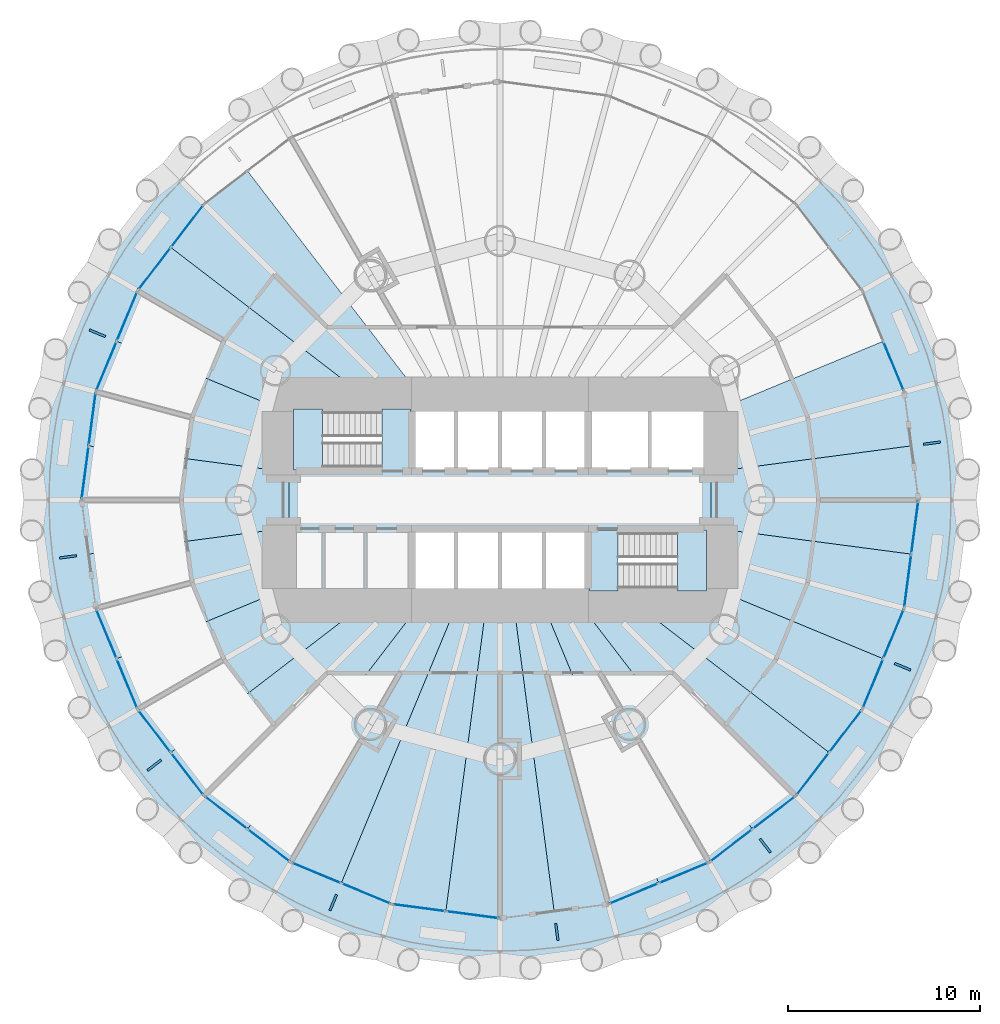
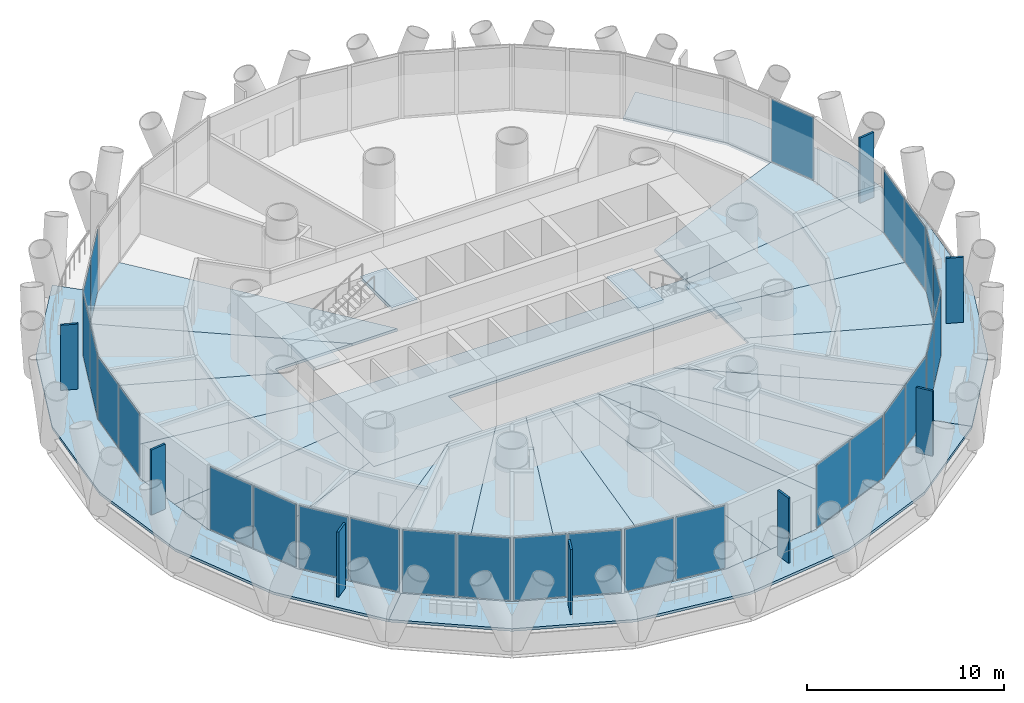
# One storey, part 8 of 16: 35 plates, 25 slabs, 16 elements without a shape of their own.
"""IFC4 building model written with IfcOpenShell, lengths in metres."""

from ifc_helpers import new_model, si_unit, direction, frame, origin, origin_2d, place, context, subcontext, project, spatial, polyline, rectangle, outline, extrude, material, layer, layer_set, type_object, element, aggregate, save


model = new_model("IFC4")

# Units and contexts
model_context = context("Model", 3, precision=1e-05, world=origin(), true_north=direction((0.0, 1.0)))
body_context = subcontext(model_context, "Body", "Model", "MODEL_VIEW")
ifc_project = project(units=[si_unit("LENGTHUNIT", "METRE"), si_unit("AREAUNIT", "SQUARE_METRE"), si_unit("VOLUMEUNIT", "CUBIC_METRE"), si_unit("PLANEANGLEUNIT", "RADIAN"), si_unit("MASSUNIT", "GRAM", prefix="KILO")], contexts=[model_context])

# Site, building, storey
site_placement = place(None, origin())
site = spatial("IfcSite", under=ifc_project, at=site_placement, CompositionType="ELEMENT")
building_placement = place(site_placement, origin())
building = spatial("IfcBuilding", under=site, at=building_placement, Name="Qaws Media Tower", CompositionType="ELEMENT")
storey_placement = place(building_placement, frame((0.0, 0.0, 42.800048828125)))
storey = spatial("IfcBuildingStorey", under=building, at=storey_placement, Name="L08", CompositionType="ELEMENT", Elevation=42.800048828125)

# Slabs
ifc_material_1 = material(Name="Concrete C35/45", Category="concrete")
ifc_layer_1 = layer(ifc_material_1, 0.159912109375)
ifc_layer_set_1 = layer_set([ifc_layer_1], Name="Composite balcony slab 160")
slab_type_1 = type_object("IfcSlabType", Name="Composite balcony slab 160", PredefinedType="FLOOR", material=ifc_layer_set_1)
slab_1_placement = place(storey_placement, frame((0.0, 0.0, -0.16015625)))
element("IfcSlab", 1, at=slab_1_placement, inside=storey, type_object=slab_type_1, Name="S2 balcony slab L08 R10 to R16, movement joints on R10 and R16", PredefinedType="FLOOR", context=body_context, shape_type="SweptSolid", body=[
    extrude(outline(polyline([(39.042236328125, 37.89990234375), (36.62451171875, 43.736572265625), (35.800048828125, 50.0), (36.62451171875, 56.263427734375), (39.042236328125, 62.10009765625), (42.887939453125, 67.112060546875), (44.585205078125, 65.414794921875), (41.12060546875, 60.89990234375), (38.94287109375, 55.642333984375), (38.199951171875, 50.0), (38.94287109375, 44.357666015625), (41.12060546875, 39.10009765625), (44.585205078125, 34.585205078125), (42.887939453125, 32.887939453125), (39.042236328125, 37.89990234375)])), origin(), (0.0, 0.0, 1.0), 0.16015625),
])
slab_2_placement = place(storey_placement, frame((0.0, 0.0, -0.16015625)))
element("IfcSlab", 2, at=slab_2_placement, inside=storey, type_object=slab_type_1, Name="S2 balcony slab L08 R16 to R22, movement joints on R16 and R22", PredefinedType="FLOOR", context=body_context, shape_type="SweptSolid", body=[
    extrude(outline(polyline([(72.10009765625, 29.042236328125), (66.263427734375, 26.62451171875), (60.0, 25.800048828125), (53.736572265625, 26.62451171875), (47.89990234375, 29.042236328125), (42.887939453125, 32.887939453125), (44.585205078125, 34.585205078125), (49.10009765625, 31.12060546875), (54.357666015625, 28.94287109375), (60.0, 28.199951171875), (65.642333984375, 28.94287109375), (70.89990234375, 31.12060546875), (75.414794921875, 34.585205078125), (77.112060546875, 32.887939453125), (72.10009765625, 29.042236328125)])), origin(), (0.0, 0.0, 1.0), 0.16015625),
])
slab_3_placement = place(storey_placement, frame((0.0, 0.0, -0.16015625)))
element("IfcSlab", 3, at=slab_3_placement, inside=storey, type_object=slab_type_1, Name="S2 balcony slab L08 R22 to R04, movement joints on R22 and R04", PredefinedType="FLOOR", context=body_context, shape_type="SweptSolid", body=[
    extrude(outline(polyline([(80.957763671875, 37.89990234375), (77.112060546875, 32.887939453125), (75.414794921875, 34.585205078125), (78.87939453125, 39.10009765625), (81.05712890625, 44.357666015625), (81.800048828125, 50.0), (81.05712890625, 55.642333984375), (78.87939453125, 60.89990234375), (75.414794921875, 65.414794921875), (77.112060546875, 67.112060546875), (80.957763671875, 62.10009765625), (83.37548828125, 56.263427734375), (84.199951171875, 50.0), (83.37548828125, 43.736572265625), (80.957763671875, 37.89990234375)])), origin(), (0.0, 0.0, 1.0), 0.16015625),
])
ifc_material_2 = material(Name="Concrete C35/45", Category="concrete")
ifc_layer_2 = layer(ifc_material_2, 0.159912109375)
ifc_layer_set_2 = layer_set([ifc_layer_2], Name="Composite floor slab 160")
slab_type_2 = type_object("IfcSlabType", Name="Composite floor slab 160", PredefinedType="FLOOR", material=ifc_layer_set_2)
slab_4_placement = place(storey_placement, frame((0.0, 0.0, -0.16015625)))
element("IfcSlab", 4, at=slab_4_placement, inside=storey, type_object=slab_type_2, Name="S1 core floor slab L08", PredefinedType="FLOOR", context=body_context, shape_type="SweptSolid", body=[
    extrude(outline(polyline([(71.0, 51.5), (71.0, 48.5), (55.39990234375, 48.5), (55.39990234375, 45.0), (49.0, 45.0), (49.0, 51.5), (71.0, 51.5)])), origin(), (0.0, 0.0, 1.0), 0.16015625),
])
slab_5_placement = place(storey_placement, frame((0.0, 0.0, -0.16015625)))
element("IfcSlab", 5, at=slab_5_placement, inside=storey, type_object=slab_type_2, Name="S1 floor panel L08 on R01", PredefinedType="FLOOR", context=body_context, shape_type="SweptSolid", body=[
    extrude(outline(polyline([(81.800048828125, 50.0), (81.4287109375, 47.178955078125), (71.0, 48.5517578125), (71.0, 51.4482421875), (81.4287109375, 52.821044921875), (81.800048828125, 50.0)])), origin(), (0.0, 0.0, 1.0), 0.16015625),
])
slab_6_placement = place(storey_placement, frame((0.0, 0.0, -0.16015625)))
element("IfcSlab", 6, at=slab_6_placement, inside=storey, type_object=slab_type_2, Name="S1 floor panel L08 on R02", PredefinedType="FLOOR", context=body_context, shape_type="SweptSolid", body=[
    extrude(outline(polyline([(81.05712890625, 55.642333984375), (81.4287109375, 52.821044921875), (71.0, 51.4482421875), (71.0, 54.556396484375), (79.96826171875, 58.27099609375), (81.05712890625, 55.642333984375)])), origin(), (0.0, 0.0, 1.0), 0.16015625),
])
slab_7_placement = place(storey_placement, frame((0.0, 0.0, -0.16015625)))
element("IfcSlab", 7, at=slab_7_placement, inside=storey, type_object=slab_type_2, Name="S1 floor panel L08 on R10", PredefinedType="FLOOR", context=body_context, shape_type="SweptSolid", body=[
    extrude(outline(polyline([(44.585205078125, 65.414794921875), (46.842529296875, 67.147216796875), (56.163330078125, 55.0), (53.48388671875, 55.0), (42.852783203125, 63.157470703125), (44.585205078125, 65.414794921875)])), origin(), (0.0, 0.0, 1.0), 0.16015625),
])
slab_8_placement = place(storey_placement, frame((0.0, 0.0, -0.16015625)))
element("IfcSlab", 8, at=slab_8_placement, inside=storey, type_object=slab_type_2, Name="S1 floor panel L08 on R11", PredefinedType="FLOOR", context=body_context, shape_type="SweptSolid", body=[
    extrude(outline(polyline([(41.12060546875, 60.89990234375), (42.852783203125, 63.157470703125), (53.48388671875, 55.0), (49.0, 55.0), (49.0, 54.556396484375), (40.03173828125, 58.27099609375), (41.12060546875, 60.89990234375)])), origin(), (0.0, 0.0, 1.0), 0.16015625),
])
slab_9_placement = place(storey_placement, frame((0.0, 0.0, -0.16015625)))
element("IfcSlab", 9, at=slab_9_placement, inside=storey, type_object=slab_type_2, Name="S1 floor panel L08 on R12", PredefinedType="FLOOR", context=body_context, shape_type="SweptSolid", body=[
    extrude(outline(polyline([(38.94287109375, 55.642333984375), (40.03173828125, 58.27099609375), (49.0, 54.556396484375), (49.0, 51.4482421875), (38.5712890625, 52.821044921875), (38.94287109375, 55.642333984375)])), origin(), (0.0, 0.0, 1.0), 0.16015625),
])
slab_10_placement = place(storey_placement, frame((0.0, 0.0, -0.16015625)))
element("IfcSlab", 10, at=slab_10_placement, inside=storey, type_object=slab_type_2, Name="S1 floor panel L08 on R13", PredefinedType="FLOOR", context=body_context, shape_type="SweptSolid", body=[
    extrude(outline(polyline([(38.199951171875, 50.0), (38.5712890625, 52.821044921875), (49.0, 51.4482421875), (49.0, 48.5517578125), (38.5712890625, 47.178955078125), (38.199951171875, 50.0)])), origin(), (0.0, 0.0, 1.0), 0.16015625),
])
slab_11_placement = place(storey_placement, frame((0.0, 0.0, -0.16015625)))
element("IfcSlab", 11, at=slab_11_placement, inside=storey, type_object=slab_type_2, Name="S1 floor panel L08 on R14", PredefinedType="FLOOR", context=body_context, shape_type="SweptSolid", body=[
    extrude(outline(polyline([(38.94287109375, 44.357666015625), (38.5712890625, 47.178955078125), (49.0, 48.5517578125), (49.0, 45.443603515625), (40.03173828125, 41.72900390625), (38.94287109375, 44.357666015625)])), origin(), (0.0, 0.0, 1.0), 0.16015625),
])
slab_12_placement = place(storey_placement, frame((0.0, 0.0, -0.16015625)))
element("IfcSlab", 12, at=slab_12_placement, inside=storey, type_object=slab_type_2, Name="S1 floor panel L08 on R15", PredefinedType="FLOOR", context=body_context, shape_type="SweptSolid", body=[
    extrude(outline(polyline([(41.12060546875, 39.10009765625), (40.03173828125, 41.72900390625), (49.0, 45.443603515625), (49.0, 45.0), (53.48388671875, 45.0), (42.852783203125, 36.842529296875), (41.12060546875, 39.10009765625)])), origin(), (0.0, 0.0, 1.0), 0.16015625),
])
slab_13_placement = place(storey_placement, frame((0.0, 0.0, -0.16015625)))
element("IfcSlab", 13, at=slab_13_placement, inside=storey, type_object=slab_type_2, Name="S1 floor panel L08 on R16", PredefinedType="FLOOR", context=body_context, shape_type="SweptSolid", body=[
    extrude(outline(polyline([(44.585205078125, 34.585205078125), (42.852783203125, 36.842529296875), (53.48388671875, 45.0), (56.163330078125, 45.0), (46.842529296875, 32.852783203125), (44.585205078125, 34.585205078125)])), origin(), (0.0, 0.0, 1.0), 0.16015625),
])
slab_14_placement = place(storey_placement, frame((0.0, 0.0, -0.16015625)))
element("IfcSlab", 14, at=slab_14_placement, inside=storey, type_object=slab_type_2, Name="S1 floor panel L08 on R17", PredefinedType="FLOOR", context=body_context, shape_type="SweptSolid", body=[
    extrude(outline(polyline([(49.10009765625, 31.12060546875), (46.842529296875, 32.852783203125), (56.163330078125, 45.0), (57.928955078125, 45.0), (51.72900390625, 30.03173828125), (49.10009765625, 31.12060546875)])), origin(), (0.0, 0.0, 1.0), 0.16015625),
])
slab_15_placement = place(storey_placement, frame((0.0, 0.0, -0.16015625)))
element("IfcSlab", 15, at=slab_15_placement, inside=storey, type_object=slab_type_2, Name="S1 floor panel L08 on R18", PredefinedType="FLOOR", context=body_context, shape_type="SweptSolid", body=[
    extrude(outline(polyline([(54.357666015625, 28.94287109375), (51.72900390625, 30.03173828125), (57.928955078125, 45.0), (59.341796875, 45.0), (57.178955078125, 28.5712890625), (54.357666015625, 28.94287109375)])), origin(), (0.0, 0.0, 1.0), 0.16015625),
])
slab_16_placement = place(storey_placement, frame((0.0, 0.0, -0.16015625)))
element("IfcSlab", 16, at=slab_16_placement, inside=storey, type_object=slab_type_2, Name="S1 floor panel L08 on R19", PredefinedType="FLOOR", context=body_context, shape_type="SweptSolid", body=[
    extrude(outline(polyline([(60.0, 28.199951171875), (57.178955078125, 28.5712890625), (59.341796875, 45.0), (60.658203125, 45.0), (62.821044921875, 28.5712890625), (60.0, 28.199951171875)])), origin(), (0.0, 0.0, 1.0), 0.16015625),
])
slab_17_placement = place(storey_placement, frame((0.0, 0.0, -0.16015625)))
element("IfcSlab", 17, at=slab_17_placement, inside=storey, type_object=slab_type_2, Name="S1 floor panel L08 on R20", PredefinedType="FLOOR", context=body_context, shape_type="SweptSolid", body=[
    extrude(outline(polyline([(65.642333984375, 28.94287109375), (62.821044921875, 28.5712890625), (60.658203125, 45.0), (62.071044921875, 45.0), (68.27099609375, 30.03173828125), (65.642333984375, 28.94287109375)])), origin(), (0.0, 0.0, 1.0), 0.16015625),
])
slab_18_placement = place(storey_placement, frame((0.0, 0.0, -0.16015625)))
element("IfcSlab", 18, at=slab_18_placement, inside=storey, type_object=slab_type_2, Name="S1 floor panel L08 on R21", PredefinedType="FLOOR", context=body_context, shape_type="SweptSolid", body=[
    extrude(outline(polyline([(70.89990234375, 31.12060546875), (68.27099609375, 30.03173828125), (62.071044921875, 45.0), (63.836669921875, 45.0), (73.157470703125, 32.852783203125), (70.89990234375, 31.12060546875)])), origin(), (0.0, 0.0, 1.0), 0.16015625),
])
slab_19_placement = place(storey_placement, frame((0.0, 0.0, -0.16015625)))
element("IfcSlab", 19, at=slab_19_placement, inside=storey, type_object=slab_type_2, Name="S1 floor panel L08 on R22", PredefinedType="FLOOR", context=body_context, shape_type="SweptSolid", body=[
    extrude(outline(polyline([(75.414794921875, 34.585205078125), (73.157470703125, 32.852783203125), (63.836669921875, 45.0), (66.51611328125, 45.0), (77.147216796875, 36.842529296875), (75.414794921875, 34.585205078125)])), origin(), (0.0, 0.0, 1.0), 0.16015625),
])
slab_20_placement = place(storey_placement, frame((0.0, 0.0, -0.16015625)))
element("IfcSlab", 20, at=slab_20_placement, inside=storey, type_object=slab_type_2, Name="S1 floor panel L08 on R23", PredefinedType="FLOOR", context=body_context, shape_type="SweptSolid", body=[
    extrude(outline(polyline([(78.87939453125, 39.10009765625), (77.147216796875, 36.842529296875), (66.51611328125, 45.0), (71.0, 45.0), (71.0, 45.443603515625), (79.96826171875, 41.72900390625), (78.87939453125, 39.10009765625)])), origin(), (0.0, 0.0, 1.0), 0.16015625),
])
slab_21_placement = place(storey_placement, frame((0.0, 0.0, -0.16015625)))
element("IfcSlab", 21, at=slab_21_placement, inside=storey, type_object=slab_type_2, Name="S1 floor panel L08 on R24", PredefinedType="FLOOR", context=body_context, shape_type="SweptSolid", body=[
    extrude(outline(polyline([(79.96826171875, 41.72900390625), (71.0, 45.443603515625), (71.0, 48.5517578125), (81.4287109375, 47.178955078125), (81.05712890625, 44.357666015625), (79.96826171875, 41.72900390625)])), origin(), (0.0, 0.0, 1.0), 0.16015625),
])

# Curtain wall, plate
ifc_material_3 = material(Name="Aluminium and clear glass", Category="aluminium")
curtain_wall_type = type_object("IfcCurtainWallType", Name="Unitised curtain wall CW-A", PredefinedType="NOTDEFINED", material=ifc_material_3)
curtain_wall_1_placement = place(storey_placement, origin())
curtain_wall_1 = element("IfcCurtainWall", 22, at=curtain_wall_1_placement, inside=storey, type_object=curtain_wall_type, Name="CWA curtain wall L08-02", PredefinedType="NOTDEFINED")
ifc_material_4 = material(Name="Clear laminated double glazing", Category="glass")
ifc_layer_3 = layer(ifc_material_4, 0.031982421875)
ifc_layer_set_3 = layer_set([ifc_layer_3], Name="Curtain wall glass unit 32")
plate_type_1 = type_object("IfcPlateType", Name="Curtain wall glass unit 32", PredefinedType="CURTAIN_PANEL", material=ifc_layer_set_3)
plate_1_placement = place(storey_placement, frame((80.505126953125, 56.97509765625, 0.080078125), z_axis=(0.0, 0.0, 1.0), x_axis=(-0.382683389393, 0.923879550311, 0.0)))
plate_1 = element("IfcPlate", 23, at=plate_1_placement, type_object=plate_type_1, Name="CWA panel 1.1", PredefinedType="CURTAIN_PANEL", context=body_context, shape_type="SweptSolid", body=[
    extrude(rectangle(XDim=2.7255859375, YDim=0.031982421875, at=origin_2d()), origin(), (0.0, 0.0, 1.0), 3.8798828125),
])
aggregate(curtain_wall_1, [plate_1])

# Curtain wall, plates
curtain_wall_2_placement = place(storey_placement, origin())
curtain_wall_2 = element("IfcCurtainWall", 24, at=curtain_wall_2_placement, inside=storey, type_object=curtain_wall_type, Name="CWA curtain wall L08-10", PredefinedType="NOTDEFINED")
plate_2_placement = place(storey_placement, frame((43.706787109375, 64.270263671875, 0.080078125), z_axis=(0.0, 0.0, 1.0), x_axis=(-0.608761417599, -0.793353349046, 0.0)))
plate_2 = element("IfcPlate", 25, at=plate_2_placement, type_object=plate_type_1, Name="CWA panel 1.1", PredefinedType="CURTAIN_PANEL", context=body_context, shape_type="SweptSolid", body=[
    extrude(rectangle(XDim=2.7255859375, YDim=0.031982421875, at=origin_2d()), origin(), (0.0, 0.0, 1.0), 3.8798828125),
])
plate_3_placement = place(storey_placement, frame((41.9990234375, 62.044677734375, 0.080078125), z_axis=(0.0, 0.0, 1.0), x_axis=(-0.608761417599, -0.793353349046, 0.0)))
plate_3 = element("IfcPlate", 26, at=plate_3_placement, type_object=plate_type_1, Name="CWA panel 2.1", PredefinedType="CURTAIN_PANEL", context=body_context, shape_type="SweptSolid", body=[
    extrude(rectangle(XDim=2.7255859375, YDim=0.031982421875, at=origin_2d()), origin(), (0.0, 0.0, 1.0), 3.8798828125),
])
aggregate(curtain_wall_2, [plate_2, plate_3])

curtain_wall_3_placement = place(storey_placement, origin())
curtain_wall_3 = element("IfcCurtainWall", 27, at=curtain_wall_3_placement, inside=storey, type_object=curtain_wall_type, Name="CWA curtain wall L08-11", PredefinedType="NOTDEFINED")
plate_4_placement = place(storey_placement, frame((40.568603515625, 59.567138671875, 0.080078125), z_axis=(0.0, 0.0, 1.0), x_axis=(-0.382683389393, -0.923879550311, 0.0)))
plate_4 = element("IfcPlate", 28, at=plate_4_placement, type_object=plate_type_1, Name="CWA panel 1.1", PredefinedType="CURTAIN_PANEL", context=body_context, shape_type="SweptSolid", body=[
    extrude(rectangle(XDim=2.7255859375, YDim=0.031982421875, at=origin_2d()), origin(), (0.0, 0.0, 1.0), 3.8798828125),
])
plate_5_placement = place(storey_placement, frame((39.494873046875, 56.97509765625, 0.080078125), z_axis=(0.0, 0.0, 1.0), x_axis=(-0.382683389393, -0.923879550311, 0.0)))
plate_5 = element("IfcPlate", 29, at=plate_5_placement, type_object=plate_type_1, Name="CWA panel 2.1", PredefinedType="CURTAIN_PANEL", context=body_context, shape_type="SweptSolid", body=[
    extrude(rectangle(XDim=2.7255859375, YDim=0.031982421875, at=origin_2d()), origin(), (0.0, 0.0, 1.0), 3.8798828125),
])
aggregate(curtain_wall_3, [plate_4, plate_5])

curtain_wall_4_placement = place(storey_placement, origin())
curtain_wall_4 = element("IfcCurtainWall", 30, at=curtain_wall_4_placement, inside=storey, type_object=curtain_wall_type, Name="CWA curtain wall L08-12", PredefinedType="NOTDEFINED")
plate_6_placement = place(storey_placement, frame((38.75439453125, 54.2119140625, 0.080078125), z_axis=(0.0, 0.0, 1.0), x_axis=(-0.130526198657, -0.991444860526, 0.0)))
plate_6 = element("IfcPlate", 31, at=plate_6_placement, type_object=plate_type_1, Name="CWA panel 1.1", PredefinedType="CURTAIN_PANEL", context=body_context, shape_type="SweptSolid", body=[
    extrude(rectangle(XDim=2.7255859375, YDim=0.031982421875, at=origin_2d()), origin(), (0.0, 0.0, 1.0), 3.8798828125),
])
plate_7_placement = place(storey_placement, frame((38.388427734375, 51.430419921875, 0.080078125), z_axis=(0.0, 0.0, 1.0), x_axis=(-0.130526198657, -0.991444860526, 0.0)))
plate_7 = element("IfcPlate", 32, at=plate_7_placement, type_object=plate_type_1, Name="CWA panel 2.1", PredefinedType="CURTAIN_PANEL", context=body_context, shape_type="SweptSolid", body=[
    extrude(rectangle(XDim=2.7255859375, YDim=0.031982421875, at=origin_2d()), origin(), (0.0, 0.0, 1.0), 3.8798828125),
])
aggregate(curtain_wall_4, [plate_6, plate_7])

curtain_wall_5_placement = place(storey_placement, origin())
curtain_wall_5 = element("IfcCurtainWall", 33, at=curtain_wall_5_placement, inside=storey, type_object=curtain_wall_type, Name="CWA curtain wall L08-14", PredefinedType="NOTDEFINED")
plate_8_placement = place(storey_placement, frame((39.494873046875, 43.02490234375, 0.080078125), z_axis=(0.0, 0.0, 1.0), x_axis=(0.382683389393, -0.923879550311, 0.0)))
plate_8 = element("IfcPlate", 34, at=plate_8_placement, type_object=plate_type_1, Name="CWA panel 1.1", PredefinedType="CURTAIN_PANEL", context=body_context, shape_type="SweptSolid", body=[
    extrude(rectangle(XDim=2.7255859375, YDim=0.031982421875, at=origin_2d()), origin(), (0.0, 0.0, 1.0), 3.8798828125),
])
plate_9_placement = place(storey_placement, frame((40.568603515625, 40.432861328125, 0.080078125), z_axis=(0.0, 0.0, 1.0), x_axis=(0.382683389393, -0.923879550311, 0.0)))
plate_9 = element("IfcPlate", 35, at=plate_9_placement, type_object=plate_type_1, Name="CWA panel 2.1", PredefinedType="CURTAIN_PANEL", context=body_context, shape_type="SweptSolid", body=[
    extrude(rectangle(XDim=2.7255859375, YDim=0.031982421875, at=origin_2d()), origin(), (0.0, 0.0, 1.0), 3.8798828125),
])
aggregate(curtain_wall_5, [plate_8, plate_9])

curtain_wall_6_placement = place(storey_placement, origin())
curtain_wall_6 = element("IfcCurtainWall", 36, at=curtain_wall_6_placement, inside=storey, type_object=curtain_wall_type, Name="CWA curtain wall L08-15", PredefinedType="NOTDEFINED")
plate_10_placement = place(storey_placement, frame((41.9990234375, 37.955322265625, 0.080078125), z_axis=(0.0, 0.0, 1.0), x_axis=(0.608761417599, -0.793353349046, 0.0)))
plate_10 = element("IfcPlate", 37, at=plate_10_placement, type_object=plate_type_1, Name="CWA panel 1.1", PredefinedType="CURTAIN_PANEL", context=body_context, shape_type="SweptSolid", body=[
    extrude(rectangle(XDim=2.7255859375, YDim=0.031982421875, at=origin_2d()), origin(), (0.0, 0.0, 1.0), 3.8798828125),
])
plate_11_placement = place(storey_placement, frame((43.706787109375, 35.729736328125, 0.080078125), z_axis=(0.0, 0.0, 1.0), x_axis=(0.608761417599, -0.793353349046, 0.0)))
plate_11 = element("IfcPlate", 38, at=plate_11_placement, type_object=plate_type_1, Name="CWA panel 2.1", PredefinedType="CURTAIN_PANEL", context=body_context, shape_type="SweptSolid", body=[
    extrude(rectangle(XDim=2.7255859375, YDim=0.031982421875, at=origin_2d()), origin(), (0.0, 0.0, 1.0), 3.8798828125),
])
aggregate(curtain_wall_6, [plate_10, plate_11])

curtain_wall_7_placement = place(storey_placement, origin())
curtain_wall_7 = element("IfcCurtainWall", 39, at=curtain_wall_7_placement, inside=storey, type_object=curtain_wall_type, Name="CWA curtain wall L08-16", PredefinedType="NOTDEFINED")
plate_12_placement = place(storey_placement, frame((45.729736328125, 33.706787109375, 0.080078125), z_axis=(0.0, 0.0, 1.0), x_axis=(0.793353349046, -0.608761417599, 0.0)))
plate_12 = element("IfcPlate", 40, at=plate_12_placement, type_object=plate_type_1, Name="CWA panel 1.1", PredefinedType="CURTAIN_PANEL", context=body_context, shape_type="SweptSolid", body=[
    extrude(rectangle(XDim=2.7255859375, YDim=0.031982421875, at=origin_2d()), origin(), (0.0, 0.0, 1.0), 3.8798828125),
])
plate_13_placement = place(storey_placement, frame((47.955322265625, 31.9990234375, 0.080078125), z_axis=(0.0, 0.0, 1.0), x_axis=(0.793353349046, -0.608761417599, 0.0)))
plate_13 = element("IfcPlate", 41, at=plate_13_placement, type_object=plate_type_1, Name="CWA panel 2.1", PredefinedType="CURTAIN_PANEL", context=body_context, shape_type="SweptSolid", body=[
    extrude(rectangle(XDim=2.7255859375, YDim=0.031982421875, at=origin_2d()), origin(), (0.0, 0.0, 1.0), 3.8798828125),
])
aggregate(curtain_wall_7, [plate_12, plate_13])

curtain_wall_8_placement = place(storey_placement, origin())
curtain_wall_8 = element("IfcCurtainWall", 42, at=curtain_wall_8_placement, inside=storey, type_object=curtain_wall_type, Name="CWA curtain wall L08-17", PredefinedType="NOTDEFINED")
plate_14_placement = place(storey_placement, frame((50.432861328125, 30.568603515625, 0.080078125), z_axis=(0.0, 0.0, 1.0), x_axis=(0.923879550311, -0.382683389393, 0.0)))
plate_14 = element("IfcPlate", 43, at=plate_14_placement, type_object=plate_type_1, Name="CWA panel 1.1", PredefinedType="CURTAIN_PANEL", context=body_context, shape_type="SweptSolid", body=[
    extrude(rectangle(XDim=2.7255859375, YDim=0.031982421875, at=origin_2d()), origin(), (0.0, 0.0, 1.0), 3.8798828125),
])
plate_15_placement = place(storey_placement, frame((53.02490234375, 29.494873046875, 0.080078125), z_axis=(0.0, 0.0, 1.0), x_axis=(0.923879550311, -0.382683389393, 0.0)))
plate_15 = element("IfcPlate", 44, at=plate_15_placement, type_object=plate_type_1, Name="CWA panel 2.1", PredefinedType="CURTAIN_PANEL", context=body_context, shape_type="SweptSolid", body=[
    extrude(rectangle(XDim=2.7255859375, YDim=0.031982421875, at=origin_2d()), origin(), (0.0, 0.0, 1.0), 3.8798828125),
])
aggregate(curtain_wall_8, [plate_14, plate_15])

curtain_wall_9_placement = place(storey_placement, origin())
curtain_wall_9 = element("IfcCurtainWall", 45, at=curtain_wall_9_placement, inside=storey, type_object=curtain_wall_type, Name="CWA curtain wall L08-18", PredefinedType="NOTDEFINED")
plate_16_placement = place(storey_placement, frame((55.7880859375, 28.75439453125, 0.080078125), z_axis=(0.0, 0.0, 1.0), x_axis=(0.991444860526, -0.130526198657, 0.0)))
plate_16 = element("IfcPlate", 46, at=plate_16_placement, type_object=plate_type_1, Name="CWA panel 1.1", PredefinedType="CURTAIN_PANEL", context=body_context, shape_type="SweptSolid", body=[
    extrude(rectangle(XDim=2.7255859375, YDim=0.031982421875, at=origin_2d()), origin(), (0.0, 0.0, 1.0), 3.8798828125),
])
plate_17_placement = place(storey_placement, frame((58.569580078125, 28.388427734375, 0.080078125), z_axis=(0.0, 0.0, 1.0), x_axis=(0.991444860526, -0.130526198657, 0.0)))
plate_17 = element("IfcPlate", 47, at=plate_17_placement, type_object=plate_type_1, Name="CWA panel 2.1", PredefinedType="CURTAIN_PANEL", context=body_context, shape_type="SweptSolid", body=[
    extrude(rectangle(XDim=2.7255859375, YDim=0.031982421875, at=origin_2d()), origin(), (0.0, 0.0, 1.0), 3.8798828125),
])
aggregate(curtain_wall_9, [plate_16, plate_17])

curtain_wall_10_placement = place(storey_placement, origin())
curtain_wall_10 = element("IfcCurtainWall", 48, at=curtain_wall_10_placement, inside=storey, type_object=curtain_wall_type, Name="CWA curtain wall L08-20", PredefinedType="NOTDEFINED")
plate_18_placement = place(storey_placement, frame((66.97509765625, 29.494873046875, 0.080078125), z_axis=(0.0, 0.0, 1.0), x_axis=(0.923879550311, 0.382683389393, 0.0)))
plate_18 = element("IfcPlate", 49, at=plate_18_placement, type_object=plate_type_1, Name="CWA panel 1.1", PredefinedType="CURTAIN_PANEL", context=body_context, shape_type="SweptSolid", body=[
    extrude(rectangle(XDim=2.7255859375, YDim=0.031982421875, at=origin_2d()), origin(), (0.0, 0.0, 1.0), 3.8798828125),
])
plate_19_placement = place(storey_placement, frame((69.567138671875, 30.568603515625, 0.080078125), z_axis=(0.0, 0.0, 1.0), x_axis=(0.923879550311, 0.382683389393, 0.0)))
plate_19 = element("IfcPlate", 50, at=plate_19_placement, type_object=plate_type_1, Name="CWA panel 2.1", PredefinedType="CURTAIN_PANEL", context=body_context, shape_type="SweptSolid", body=[
    extrude(rectangle(XDim=2.7255859375, YDim=0.031982421875, at=origin_2d()), origin(), (0.0, 0.0, 1.0), 3.8798828125),
])
aggregate(curtain_wall_10, [plate_18, plate_19])

curtain_wall_11_placement = place(storey_placement, origin())
curtain_wall_11 = element("IfcCurtainWall", 51, at=curtain_wall_11_placement, inside=storey, type_object=curtain_wall_type, Name="CWA curtain wall L08-21", PredefinedType="NOTDEFINED")
plate_20_placement = place(storey_placement, frame((72.044677734375, 31.9990234375, 0.080078125), z_axis=(0.0, 0.0, 1.0), x_axis=(0.793353349046, 0.608761417599, 0.0)))
plate_20 = element("IfcPlate", 52, at=plate_20_placement, type_object=plate_type_1, Name="CWA panel 1.1", PredefinedType="CURTAIN_PANEL", context=body_context, shape_type="SweptSolid", body=[
    extrude(rectangle(XDim=2.7255859375, YDim=0.031982421875, at=origin_2d()), origin(), (0.0, 0.0, 1.0), 3.8798828125),
])
plate_21_placement = place(storey_placement, frame((74.270263671875, 33.706787109375, 0.080078125), z_axis=(0.0, 0.0, 1.0), x_axis=(0.793353349046, 0.608761417599, 0.0)))
plate_21 = element("IfcPlate", 53, at=plate_21_placement, type_object=plate_type_1, Name="CWA panel 2.1", PredefinedType="CURTAIN_PANEL", context=body_context, shape_type="SweptSolid", body=[
    extrude(rectangle(XDim=2.7255859375, YDim=0.031982421875, at=origin_2d()), origin(), (0.0, 0.0, 1.0), 3.8798828125),
])
aggregate(curtain_wall_11, [plate_20, plate_21])

curtain_wall_12_placement = place(storey_placement, origin())
curtain_wall_12 = element("IfcCurtainWall", 54, at=curtain_wall_12_placement, inside=storey, type_object=curtain_wall_type, Name="CWA curtain wall L08-22", PredefinedType="NOTDEFINED")
plate_22_placement = place(storey_placement, frame((76.293212890625, 35.729736328125, 0.080078125), z_axis=(0.0, 0.0, 1.0), x_axis=(0.608761417599, 0.793353349046, 0.0)))
plate_22 = element("IfcPlate", 55, at=plate_22_placement, type_object=plate_type_1, Name="CWA panel 1.1", PredefinedType="CURTAIN_PANEL", context=body_context, shape_type="SweptSolid", body=[
    extrude(rectangle(XDim=2.7255859375, YDim=0.031982421875, at=origin_2d()), origin(), (0.0, 0.0, 1.0), 3.8798828125),
])
plate_23_placement = place(storey_placement, frame((78.0009765625, 37.955322265625, 0.080078125), z_axis=(0.0, 0.0, 1.0), x_axis=(0.608761417599, 0.793353349046, 0.0)))
plate_23 = element("IfcPlate", 56, at=plate_23_placement, type_object=plate_type_1, Name="CWA panel 2.1", PredefinedType="CURTAIN_PANEL", context=body_context, shape_type="SweptSolid", body=[
    extrude(rectangle(XDim=2.7255859375, YDim=0.031982421875, at=origin_2d()), origin(), (0.0, 0.0, 1.0), 3.8798828125),
])
aggregate(curtain_wall_12, [plate_22, plate_23])

curtain_wall_13_placement = place(storey_placement, origin())
curtain_wall_13 = element("IfcCurtainWall", 57, at=curtain_wall_13_placement, inside=storey, type_object=curtain_wall_type, Name="CWA curtain wall L08-23", PredefinedType="NOTDEFINED")
plate_24_placement = place(storey_placement, frame((79.431396484375, 40.432861328125, 0.080078125), z_axis=(0.0, 0.0, 1.0), x_axis=(0.382683389393, 0.923879550311, 0.0)))
plate_24 = element("IfcPlate", 58, at=plate_24_placement, type_object=plate_type_1, Name="CWA panel 1.1", PredefinedType="CURTAIN_PANEL", context=body_context, shape_type="SweptSolid", body=[
    extrude(rectangle(XDim=2.7255859375, YDim=0.031982421875, at=origin_2d()), origin(), (0.0, 0.0, 1.0), 3.8798828125),
])
plate_25_placement = place(storey_placement, frame((80.505126953125, 43.02490234375, 0.080078125), z_axis=(0.0, 0.0, 1.0), x_axis=(0.382683389393, 0.923879550311, 0.0)))
plate_25 = element("IfcPlate", 59, at=plate_25_placement, type_object=plate_type_1, Name="CWA panel 2.1", PredefinedType="CURTAIN_PANEL", context=body_context, shape_type="SweptSolid", body=[
    extrude(rectangle(XDim=2.7255859375, YDim=0.031982421875, at=origin_2d()), origin(), (0.0, 0.0, 1.0), 3.8798828125),
])
aggregate(curtain_wall_13, [plate_24, plate_25])

curtain_wall_14_placement = place(storey_placement, origin())
curtain_wall_14 = element("IfcCurtainWall", 60, at=curtain_wall_14_placement, inside=storey, type_object=curtain_wall_type, Name="CWA curtain wall L08-24", PredefinedType="NOTDEFINED")
plate_26_placement = place(storey_placement, frame((81.24560546875, 45.7880859375, 0.080078125), z_axis=(0.0, 0.0, 1.0), x_axis=(0.130526198657, 0.991444860526, 0.0)))
plate_26 = element("IfcPlate", 61, at=plate_26_placement, type_object=plate_type_1, Name="CWA panel 1.1", PredefinedType="CURTAIN_PANEL", context=body_context, shape_type="SweptSolid", body=[
    extrude(rectangle(XDim=2.7255859375, YDim=0.031982421875, at=origin_2d()), origin(), (0.0, 0.0, 1.0), 3.8798828125),
])
plate_27_placement = place(storey_placement, frame((81.611572265625, 48.569580078125, 0.080078125), z_axis=(0.0, 0.0, 1.0), x_axis=(0.130526198657, 0.991444860526, 0.0)))
plate_27 = element("IfcPlate", 62, at=plate_27_placement, type_object=plate_type_1, Name="CWA panel 2.1", PredefinedType="CURTAIN_PANEL", context=body_context, shape_type="SweptSolid", body=[
    extrude(rectangle(XDim=2.7255859375, YDim=0.031982421875, at=origin_2d()), origin(), (0.0, 0.0, 1.0), 3.8798828125),
])
aggregate(curtain_wall_14, [plate_26, plate_27])

# Plates
ifc_material_5 = material(Name="Precast concrete screen fin", Category="concrete")
ifc_layer_4 = layer(ifc_material_5, 0.1201171875)
ifc_layer_set_4 = layer_set([ifc_layer_4], Name="Screen fin 120x900")
plate_type_2 = type_object("IfcPlateType", Name="Screen fin 120x900", PredefinedType="USERDEFINED", material=ifc_layer_set_4)
for number, where, z_axis, x_axis, name in (
    (63, (82.505859375, 52.962890625, 0.0), (0.0, 0.0, 1.0), (0.991444861374, 0.13052619222, 0.0), "SCR1 screen fin L08-01"),
    (64, (39.02783203125, 58.68701171875, 0.0), (0.0, 0.0, 1.0), (-0.923879532511, 0.382683432365, 0.0), "SCR1 screen fin L08-06"),
    (65, (37.494140625, 47.037109375, 0.0), (0.0, 0.0, 1.0), (-0.991444861374, -0.13052619222, 0.0), "SCR1 screen fin L08-07"),
    (66, (41.990966796875, 36.18115234375, 0.0), (0.0, 0.0, 1.0), (-0.793353340291, -0.608761429009, 0.0), "SCR1 screen fin L08-08"),
    (67, (51.31298828125, 29.02783203125, 0.0), (0.0, 0.0, 1.0), (-0.382683432365, -0.923879532511, 0.0), "SCR1 screen fin L08-09"),
    (68, (62.962890625, 27.494140625, 0.0), (0.0, 0.0, 1.0), (0.13052619222, -0.991444861374, 0.0), "SCR1 screen fin L08-10"),
    (69, (73.81884765625, 31.990966796875, 0.0), (0.0, 0.0, 1.0), (0.608761429009, -0.793353340291, 0.0), "SCR1 screen fin L08-11"),
    (70, (80.97216796875, 41.31298828125, 0.0), (0.0, 0.0, 1.0), (0.923879532511, -0.382683432365, 0.0), "SCR1 screen fin L08-12"),
):
    element("IfcPlate", number, at=place(storey_placement, frame(where, z_axis=z_axis, x_axis=x_axis)), inside=storey, type_object=plate_type_2, Name=name, ObjectType="SCREEN", PredefinedType="USERDEFINED", context=body_context, shape_type="SweptSolid", body=[
        extrude(rectangle(XDim=0.89990234375, YDim=0.1201171875, at=origin_2d()), origin(), (0.0, 0.0, 1.0), 4.0400390625),
    ])

# Stair, slabs
ifc_material_6 = material(Name="Concrete C40/50", Category="concrete")
stair_type = type_object("IfcStairType", Name="Exit stair", PredefinedType="HALF_TURN_STAIR", material=ifc_material_6)
stair_1_placement = place(storey_placement, origin())
stair_1 = element("IfcStair", 71, at=stair_1_placement, inside=storey, type_object=stair_type, Name="S1 exit stair L08", PredefinedType="HALF_TURN_STAIR")
ifc_material_7 = material(Name="Concrete C40/50", Category="concrete")
ifc_layer_5 = layer(ifc_material_7, 0.199951171875)
ifc_layer_set_5 = layer_set([ifc_layer_5], Name="Stair landing 200")
slab_type_3 = type_object("IfcSlabType", Name="Stair landing 200", PredefinedType="LANDING", material=ifc_layer_set_5)
slab_22_placement = place(storey_placement, frame((0.0, 0.0, 1.89990234375)))
slab_22 = element("IfcSlab", 72, at=slab_22_placement, type_object=slab_type_3, Name="S1 landing 1", PredefinedType="LANDING", context=body_context, shape_type="SweptSolid", body=[
    extrude(outline(polyline([(49.25, 51.550048828125), (50.760009765625, 51.550048828125), (50.760009765625, 54.75), (49.25, 54.75), (49.25, 51.550048828125)])), origin(), (0.0, 0.0, 1.0), 0.199951171875),
])
slab_23_placement = place(storey_placement, frame((0.0, 0.0, 4.0)))
slab_23 = element("IfcSlab", 73, at=slab_23_placement, type_object=slab_type_3, Name="S1 landing 2", PredefinedType="LANDING", context=body_context, shape_type="SweptSolid", body=[
    extrude(outline(polyline([(53.840087890625, 51.550048828125), (55.35009765625, 51.550048828125), (55.35009765625, 54.75), (53.840087890625, 54.75), (53.840087890625, 51.550048828125)])), origin(), (0.0, 0.0, 1.0), 0.199951171875),
])
aggregate(stair_1, [slab_22, slab_23])

stair_2_placement = place(storey_placement, origin())
stair_2 = element("IfcStair", 74, at=stair_2_placement, inside=storey, type_object=stair_type, Name="S2 exit stair L08", PredefinedType="HALF_TURN_STAIR")
slab_24_placement = place(storey_placement, frame((0.0, 0.0, 1.89990234375)))
slab_24 = element("IfcSlab", 75, at=slab_24_placement, type_object=slab_type_3, Name="S2 landing 1", PredefinedType="LANDING", context=body_context, shape_type="SweptSolid", body=[
    extrude(outline(polyline([(69.239990234375, 45.25), (70.75, 45.25), (70.75, 48.449951171875), (69.239990234375, 48.449951171875), (69.239990234375, 45.25)])), origin(), (0.0, 0.0, 1.0), 0.199951171875),
])
slab_25_placement = place(storey_placement, frame((0.0, 0.0, 4.0)))
slab_25 = element("IfcSlab", 76, at=slab_25_placement, type_object=slab_type_3, Name="S2 landing 2", PredefinedType="LANDING", context=body_context, shape_type="SweptSolid", body=[
    extrude(outline(polyline([(64.64990234375, 45.25), (66.159912109375, 45.25), (66.159912109375, 48.449951171875), (64.64990234375, 48.449951171875), (64.64990234375, 45.25)])), origin(), (0.0, 0.0, 1.0), 0.199951171875),
])
aggregate(stair_2, [slab_24, slab_25])

save(model, "model.ifc")
